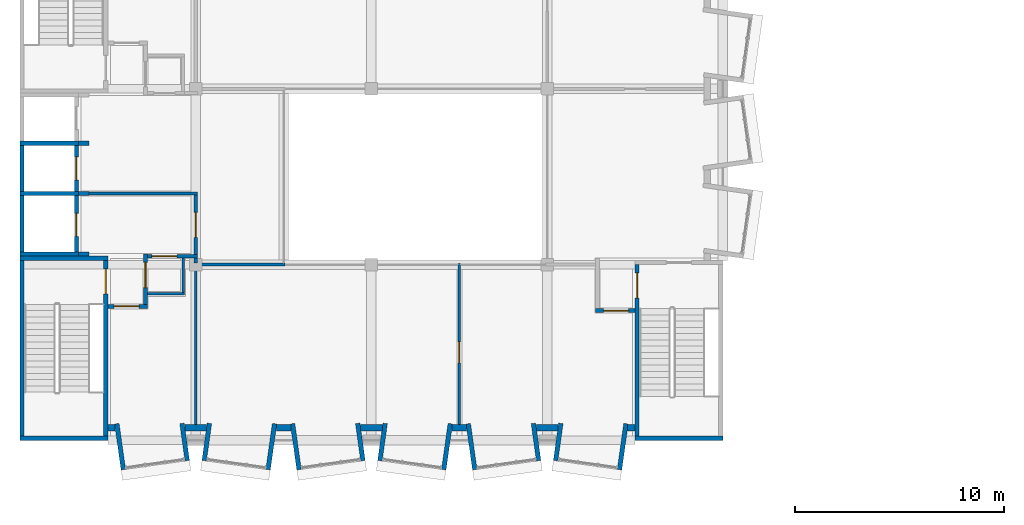
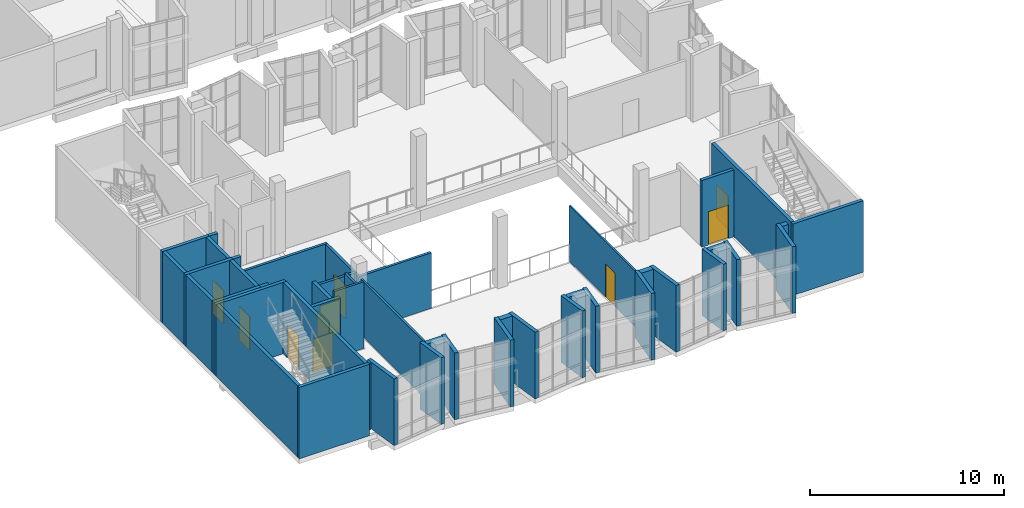
# One storey, part 80 of 95: 47 walls, 10 doors, 10 openings.
"""IFC4 building model written with IfcOpenShell, lengths in metres."""

from ifc_helpers import new_model, si_unit, direction, frame, frame_2d, origin, place, context, subcontext, project, spatial, rectangle, extrude, material, layer, layer_set, type_object, element, fill, save


model = new_model("IFC4")

# Units and contexts
model_context = context("Model", 3, precision=1e-05, world=origin(), true_north=direction((0.0, 1.0)))
body_context = subcontext(model_context, "Body", "Model", "MODEL_VIEW")
ifc_project = project(units=[si_unit("LENGTHUNIT", "METRE"), si_unit("AREAUNIT", "SQUARE_METRE"), si_unit("VOLUMEUNIT", "CUBIC_METRE"), si_unit("PLANEANGLEUNIT", "RADIAN"), si_unit("MASSUNIT", "GRAM", prefix="KILO")], contexts=[model_context])

# Site, building, storey
site_placement = place(None, origin())
site = spatial("IfcSite", under=ifc_project, at=site_placement, CompositionType="ELEMENT")
building_placement = place(site_placement, origin())
building = spatial("IfcBuilding", under=site, at=building_placement, Name="Kiln Court Media Centre", CompositionType="ELEMENT")
storey_placement = place(building_placement, frame((0.0, 0.0, 24.60009765625)))
storey = spatial("IfcBuildingStorey", under=building, at=storey_placement, Name="L05", CompositionType="ELEMENT", Elevation=24.60009765625)

# Wall, opening, door
ifc_material_1 = material(Name="Concrete block masonry M7.5", Category="masonry")
ifc_layer_1 = layer(ifc_material_1, 0.14990234375)
ifc_layer_set_1 = layer_set([ifc_layer_1], Name="Block lobby wall 150 EI 120")
wall_type_1 = type_object("IfcWallType", Name="Block lobby wall 150 EI 120", PredefinedType="SOLIDWALL", material=ifc_layer_set_1)
wall_1_placement = place(storey_placement, frame((6.10009765625, 8.800048828125, 0.0), z_axis=(0.0, 0.0, 1.0), x_axis=(1.0, 0.0, 0.0)))
wall_1 = element("IfcWall", 1, at=wall_1_placement, inside=storey, type_object=wall_type_1, Name="L05 block lobby wall", PredefinedType="SOLIDWALL", context=body_context, shape_type="SweptSolid", body=[
    extrude(rectangle(XDim=2.375, YDim=0.14990234375, at=frame_2d((1.1875, 0.0))), origin(), (0.0, 0.0, 1.0), 3.5),
])
opening_1_placement = place(wall_1_placement, frame((0.199951171875, 0.0, 0.0)))
opening_1 = element("IfcOpeningElement", 2, at=opening_1_placement, cuts=wall_1, Name="Opening D5019", PredefinedType="OPENING", context=body_context, shape_type="SweptSolid", body=[
    extrude(rectangle(XDim=1.199951171875, YDim=2.10009765625, at=frame_2d((0.60009765625, 1.050048828125))), frame((0.0, 0.0849609375, 0.0), z_axis=(0.0, -1.0, 0.0), x_axis=(1.0, 0.0, 0.0)), (0.0, 0.0, 1.0), 0.169921875),
])
ifc_material_2 = material(Name="Steel S275", Category="steel")
door_type_1 = type_object("IfcDoorType", Name="Steel lobby door 1200 x 2100 FD120", OperationType="SINGLE_SWING_LEFT", PredefinedType="DOOR", material=ifc_material_2)
door_1_placement = place(opening_1_placement, origin())
door_1 = element("IfcDoor", 3, at=door_1_placement, inside=storey, type_object=door_type_1, Name="Wheelchair Refuge / Fire-fighting Lift Lobby", OperationType="SINGLE_SWING_RIGHT", OverallHeight=2.10009765625, OverallWidth=1.199951171875, PredefinedType="DOOR", context=body_context, shape_type="SweptSolid", body=[
    extrude(rectangle(XDim=1.199951171875, YDim=2.10009765625, at=frame_2d((0.60009765625, 1.050048828125))), frame((0.0, 0.02490234375, 0.0), z_axis=(0.0, -1.0, 0.0), x_axis=(1.0, 0.0, 0.0)), (0.0, 0.0, 1.0), 0.050048828125),
])
fill(opening_1, door_1)

# Wall
wall_2_placement = place(storey_placement, frame((3.300048828125, 11.800048828125, 0.0), z_axis=(0.0, 0.0, 1.0), x_axis=(1.0, 0.0, 0.0)))
element("IfcWall", 4, at=wall_2_placement, inside=storey, type_object=wall_type_1, Name="L05 block lobby wall", PredefinedType="SOLIDWALL", context=body_context, shape_type="SweptSolid", body=[
    extrude(rectangle(XDim=5.175048828125, YDim=0.14990234375, at=frame_2d((2.58740234375, 0.0))), origin(), (0.0, 0.0, 1.0), 3.5),
])

# Wall, opening, door
wall_3_placement = place(storey_placement, frame((8.39990234375, 8.875, 0.0), z_axis=(0.0, 0.0, 1.0), x_axis=(0.0, 1.0, 0.0)))
wall_3 = element("IfcWall", 5, at=wall_3_placement, inside=storey, type_object=wall_type_1, Name="L05 block lobby wall", PredefinedType="SOLIDWALL", context=body_context, shape_type="SweptSolid", body=[
    extrude(rectangle(XDim=2.85009765625, YDim=0.14990234375, at=frame_2d((1.425048828125, 0.0))), origin(), (0.0, 0.0, 1.0), 3.5),
])
opening_2_placement = place(wall_3_placement, frame((0.824951171875, 0.0, 0.0)))
opening_2 = element("IfcOpeningElement", 6, at=opening_2_placement, cuts=wall_3, Name="Opening D5025", PredefinedType="OPENING", context=body_context, shape_type="SweptSolid", body=[
    extrude(rectangle(XDim=1.199951171875, YDim=2.10009765625, at=frame_2d((0.60009765625, 1.050048828125))), frame((0.0, 0.0849609375, 0.0), z_axis=(0.0, -1.0, 0.0), x_axis=(1.0, 0.0, 0.0)), (0.0, 0.0, 1.0), 0.169921875),
])
door_2_placement = place(opening_2_placement, origin())
door_2 = element("IfcDoor", 7, at=door_2_placement, inside=storey, type_object=door_type_1, Name="Gallery Landing / Fire-fighting Lift Lobby", OperationType="SINGLE_SWING_RIGHT", OverallHeight=2.10009765625, OverallWidth=1.199951171875, PredefinedType="DOOR", context=body_context, shape_type="SweptSolid", body=[
    extrude(rectangle(XDim=1.199951171875, YDim=2.10009765625, at=frame_2d((0.60009765625, 1.050048828125))), frame((0.0, 0.02490234375, 0.0), z_axis=(0.0, -1.0, 0.0), x_axis=(1.0, 0.0, 0.0)), (0.0, 0.0, 1.0), 0.050048828125),
])
fill(opening_2, door_2)

ifc_material_3 = material(Name="Concrete block masonry M10", Category="masonry")
ifc_layer_2 = layer(ifc_material_3, 0.199951171875)
ifc_layer_set_2 = layer_set([ifc_layer_2], Name="Block vestibule wall 200 EI 240")
wall_type_2 = type_object("IfcWallType", Name="Block vestibule wall 200 EI 240", PredefinedType="SOLIDWALL", material=ifc_layer_set_2)
wall_4_placement = place(storey_placement, frame((27.5, 6.199951171875, 0.0), z_axis=(0.0, 0.0, 1.0), x_axis=(1.0, 0.0, 0.0)))
wall_4 = element("IfcWall", 8, at=wall_4_placement, inside=storey, type_object=wall_type_2, Name="L05 block vestibule wall", PredefinedType="SOLIDWALL", context=body_context, shape_type="SweptSolid", body=[
    extrude(rectangle(XDim=1.89990234375, YDim=0.199951171875, at=frame_2d((0.949951171875, 0.0))), origin(), (0.0, 0.0, 1.0), 4.199951171875),
])
opening_3_placement = place(wall_4_placement, frame((0.39990234375, 0.0, 0.0)))
opening_3 = element("IfcOpeningElement", 9, at=opening_3_placement, cuts=wall_4, Name="Opening D5010", PredefinedType="OPENING", context=body_context, shape_type="SweptSolid", body=[
    extrude(rectangle(XDim=1.199951171875, YDim=2.10009765625, at=frame_2d((0.60009765625, 1.050048828125))), frame((0.0, 0.10986328125, 0.0), z_axis=(0.0, -1.0, 0.0), x_axis=(1.0, 0.0, 0.0)), (0.0, 0.0, 1.0), 0.219970703125),
])
ifc_material_4 = material(Name="Steel S275", Category="steel")
door_type_2 = type_object("IfcDoorType", Name="Steel vestibule door 1200 x 2100 FD180", OperationType="SINGLE_SWING_LEFT", PredefinedType="DOOR", material=ifc_material_4)
door_3_placement = place(opening_3_placement, origin())
door_3 = element("IfcDoor", 10, at=door_3_placement, inside=storey, type_object=door_type_2, Name="Sound Post Suites / Stair 3 Vestibule", OperationType="SINGLE_SWING_RIGHT", OverallHeight=2.10009765625, OverallWidth=1.199951171875, PredefinedType="DOOR", context=body_context, shape_type="SweptSolid", body=[
    extrude(rectangle(XDim=1.199951171875, YDim=2.10009765625, at=frame_2d((0.60009765625, 1.050048828125))), frame((0.0, 0.02490234375, 0.0), z_axis=(0.0, -1.0, 0.0), x_axis=(1.0, 0.0, 0.0)), (0.0, 0.0, 1.0), 0.050048828125),
])
fill(opening_3, door_3)

wall_5_placement = place(storey_placement, frame((4.2001953125, 6.39990234375, 0.0), z_axis=(0.0, 0.0, 1.0), x_axis=(1.0, 0.0, 0.0)))
wall_5 = element("IfcWall", 11, at=wall_5_placement, inside=storey, type_object=wall_type_2, Name="L05 block vestibule wall", PredefinedType="SOLIDWALL", context=body_context, shape_type="SweptSolid", body=[
    extrude(rectangle(XDim=1.89990234375, YDim=0.199951171875, at=frame_2d((0.949951171875, 0.0))), origin(), (0.0, 0.0, 1.0), 4.199951171875),
])
opening_4_placement = place(wall_5_placement, frame((0.2998046875, 0.0, 0.0)))
opening_4 = element("IfcOpeningElement", 12, at=opening_4_placement, cuts=wall_5, Name="Opening D5011", PredefinedType="OPENING", context=body_context, shape_type="SweptSolid", body=[
    extrude(rectangle(XDim=1.199951171875, YDim=2.10009765625, at=frame_2d((0.60009765625, 1.050048828125))), frame((0.0, 0.10986328125, 0.0), z_axis=(0.0, -1.0, 0.0), x_axis=(1.0, 0.0, 0.0)), (0.0, 0.0, 1.0), 0.219970703125),
])
door_4_placement = place(opening_4_placement, origin())
door_4 = element("IfcDoor", 13, at=door_4_placement, inside=storey, type_object=door_type_2, Name="Toilets and Accessible WC / Stair 1 Vestibule", OperationType="SINGLE_SWING_LEFT", OverallHeight=2.10009765625, OverallWidth=1.199951171875, PredefinedType="DOOR", context=body_context, shape_type="SweptSolid", body=[
    extrude(rectangle(XDim=1.199951171875, YDim=2.10009765625, at=frame_2d((0.60009765625, 1.050048828125))), frame((0.0, 0.02490234375, 0.0), z_axis=(0.0, -1.0, 0.0), x_axis=(1.0, 0.0, 0.0)), (0.0, 0.0, 1.0), 0.050048828125),
])
fill(opening_4, door_4)

wall_6_placement = place(storey_placement, frame((6.0, 6.5, 0.0), z_axis=(0.0, 0.0, 1.0), x_axis=(0.0, 1.0, 0.0)))
wall_6 = element("IfcWall", 14, at=wall_6_placement, inside=storey, type_object=wall_type_2, Name="L05 block vestibule wall", PredefinedType="SOLIDWALL", context=body_context, shape_type="SweptSolid", body=[
    extrude(rectangle(XDim=2.39990234375, YDim=0.199951171875, at=frame_2d((1.199951171875, 0.0))), origin(), (0.0, 0.0, 1.0), 3.699951171875),
])
opening_5_placement = place(wall_6_placement, frame((0.800048828125, 0.0, 0.0)))
opening_5 = element("IfcOpeningElement", 15, at=opening_5_placement, cuts=wall_6, Name="Opening D5012", PredefinedType="OPENING", context=body_context, shape_type="SweptSolid", body=[
    extrude(rectangle(XDim=1.199951171875, YDim=2.10009765625, at=frame_2d((0.60009765625, 1.050048828125))), frame((0.0, 0.10986328125, 0.0), z_axis=(0.0, -1.0, 0.0), x_axis=(1.0, 0.0, 0.0)), (0.0, 0.0, 1.0), 0.219970703125),
])
door_5_placement = place(opening_5_placement, origin())
door_5 = element("IfcDoor", 16, at=door_5_placement, inside=storey, type_object=door_type_2, Name="Stair 1 Vestibule / Wheelchair Refuge", OperationType="SINGLE_SWING_RIGHT", OverallHeight=2.10009765625, OverallWidth=1.199951171875, PredefinedType="DOOR", context=body_context, shape_type="SweptSolid", body=[
    extrude(rectangle(XDim=1.199951171875, YDim=2.10009765625, at=frame_2d((0.60009765625, 1.050048828125))), frame((0.0, 0.02490234375, 0.0), z_axis=(0.0, -1.0, 0.0), x_axis=(1.0, 0.0, 0.0)), (0.0, 0.0, 1.0), 0.050048828125),
])
fill(opening_5, door_5)

# Walls
ifc_material_5 = material(Name="Brick masonry facing leaf with RC backing", Category="masonry")
ifc_layer_3 = layer(ifc_material_5, 0.215087890625)
ifc_layer_set_3 = layer_set([ifc_layer_3], Name="Brick masonry bay cheek wall 215")
wall_type_3 = type_object("IfcWallType", Name="Brick masonry bay cheek wall 215", PredefinedType="SOLIDWALL", material=ifc_layer_set_3)
wall_7_placement = place(storey_placement, frame((4.630615234375, 0.794921875, 0.0), z_axis=(0.0, 0.0, 1.0), x_axis=(0.139141913905, -0.990272451295, 0.0)))
element("IfcWall", 17, at=wall_7_placement, inside=storey, type_object=wall_type_3, Name="BAY V6A-S-L05-32 cheek L", PredefinedType="SOLIDWALL", context=body_context, shape_type="SweptSolid", body=[
    extrude(rectangle(XDim=2.219482421875, YDim=0.215087890625, at=frame_2d((1.10986328125, 0.0))), origin(), (0.0, 0.0, 1.0), 4.199951171875),
])
for number, where, z_axis, x_axis, name in (
    (18, (7.743896484375, 0.808837890625, 0.0), (0.0, 0.0, 1.0), (0.139161311926, -0.990269725511, 0.0), "BAY V6A-S-L05-32 cheek R"),
    (19, (9.055908203125, 0.808837890625, 0.0), (0.0, 0.0, 1.0), (-0.139161311926, -0.990269725511, 0.0), "BAY V6A-S-L05-33 cheek L"),
):
    element("IfcWall", number, at=place(storey_placement, frame(where, z_axis=z_axis, x_axis=x_axis)), inside=storey, type_object=wall_type_3, Name=name, PredefinedType="SOLIDWALL", context=body_context, shape_type="SweptSolid", body=[
        extrude(rectangle(XDim=1.800048828125, YDim=0.215087890625, at=frame_2d((0.89990234375, 0.0))), origin(), (0.0, 0.0, 1.0), 4.199951171875),
    ])
wall_8_placement = place(storey_placement, frame((12.16943359375, 0.794921875, 0.0), z_axis=(0.0, 0.0, 1.0), x_axis=(-0.139141913905, -0.990272451295, 0.0)))
element("IfcWall", 20, at=wall_8_placement, inside=storey, type_object=wall_type_3, Name="BAY V6A-S-L05-33 cheek R", PredefinedType="SOLIDWALL", context=body_context, shape_type="SweptSolid", body=[
    extrude(rectangle(XDim=2.219482421875, YDim=0.215087890625, at=frame_2d((1.10986328125, 0.0))), origin(), (0.0, 0.0, 1.0), 4.199951171875),
])
wall_9_placement = place(storey_placement, frame((13.030517578125, 0.794921875, 0.0), z_axis=(0.0, 0.0, 1.0), x_axis=(0.139249775508, -0.99025728981, 0.0)))
element("IfcWall", 21, at=wall_9_placement, inside=storey, type_object=wall_type_3, Name="BAY V6A-S-L05-34 cheek L", PredefinedType="SOLIDWALL", context=body_context, shape_type="SweptSolid", body=[
    extrude(rectangle(XDim=2.2197265625, YDim=0.215087890625, at=frame_2d((1.10986328125, 0.0))), origin(), (0.0, 0.0, 1.0), 4.199951171875),
])
for number, where, z_axis, x_axis, name in (
    (22, (16.14404296875, 0.808837890625, 0.0), (0.0, 0.0, 1.0), (0.139161311926, -0.990269725511, 0.0), "BAY V6A-S-L05-34 cheek R"),
    (23, (17.4560546875, 0.808837890625, 0.0), (0.0, 0.0, 1.0), (-0.139161311926, -0.990269725511, 0.0), "BAY V6A-S-L05-35 cheek L"),
):
    element("IfcWall", number, at=place(storey_placement, frame(where, z_axis=z_axis, x_axis=x_axis)), inside=storey, type_object=wall_type_3, Name=name, PredefinedType="SOLIDWALL", context=body_context, shape_type="SweptSolid", body=[
        extrude(rectangle(XDim=1.800048828125, YDim=0.215087890625, at=frame_2d((0.89990234375, 0.0))), origin(), (0.0, 0.0, 1.0), 4.199951171875),
    ])
for number, where, z_axis, x_axis, name in (
    (24, (20.5693359375, 0.794921875, 0.0), (0.0, 0.0, 1.0), (-0.139141913905, -0.990272451295, 0.0), "BAY V6A-S-L05-35 cheek R"),
    (25, (21.4306640625, 0.794921875, 0.0), (0.0, 0.0, 1.0), (0.139141913905, -0.990272451295, 0.0), "BAY V6A-S-L05-36 cheek L"),
):
    element("IfcWall", number, at=place(storey_placement, frame(where, z_axis=z_axis, x_axis=x_axis)), inside=storey, type_object=wall_type_3, Name=name, PredefinedType="SOLIDWALL", context=body_context, shape_type="SweptSolid", body=[
        extrude(rectangle(XDim=2.219482421875, YDim=0.215087890625, at=frame_2d((1.10986328125, 0.0))), origin(), (0.0, 0.0, 1.0), 4.199951171875),
    ])
for number, where, z_axis, x_axis, name in (
    (26, (24.5439453125, 0.808837890625, 0.0), (0.0, 0.0, 1.0), (0.139161311926, -0.990269725511, 0.0), "BAY V6A-S-L05-36 cheek R"),
    (27, (25.85595703125, 0.808837890625, 0.0), (0.0, 0.0, 1.0), (-0.139161311926, -0.990269725511, 0.0), "BAY V6A-S-L05-37 cheek L"),
):
    element("IfcWall", number, at=place(storey_placement, frame(where, z_axis=z_axis, x_axis=x_axis)), inside=storey, type_object=wall_type_3, Name=name, PredefinedType="SOLIDWALL", context=body_context, shape_type="SweptSolid", body=[
        extrude(rectangle(XDim=1.800048828125, YDim=0.215087890625, at=frame_2d((0.89990234375, 0.0))), origin(), (0.0, 0.0, 1.0), 4.199951171875),
    ])
wall_10_placement = place(storey_placement, frame((28.969482421875, 0.794921875, 0.0), z_axis=(0.0, 0.0, 1.0), x_axis=(-0.139249775508, -0.99025728981, 0.0)))
element("IfcWall", 28, at=wall_10_placement, inside=storey, type_object=wall_type_3, Name="BAY V6A-S-L05-37 cheek R", PredefinedType="SOLIDWALL", context=body_context, shape_type="SweptSolid", body=[
    extrude(rectangle(XDim=2.2197265625, YDim=0.215087890625, at=frame_2d((1.10986328125, 0.0))), origin(), (0.0, 0.0, 1.0), 4.199951171875),
])
ifc_material_6 = material(Name="Brick masonry facing leaf with RC backing", Category="masonry")
ifc_layer_4 = layer(ifc_material_6, 0.300048828125)
ifc_layer_set_4 = layer_set([ifc_layer_4], Name="Brick masonry cavity wall 300")
wall_type_4 = type_object("IfcWallType", Name="Brick masonry cavity wall 300", PredefinedType="SOLIDWALL", material=ifc_layer_set_4)
wall_11_placement = place(storey_placement, frame((4.549560546875, 0.60009765625, 0.0), z_axis=(0.0, 0.0, 1.0), x_axis=(-1.0, 0.0, 0.0)))
element("IfcWall", 29, at=wall_11_placement, inside=storey, type_object=wall_type_4, Name="V6A-S facade L05 3052", PredefinedType="SOLIDWALL", context=body_context, shape_type="SweptSolid", body=[
    extrude(rectangle(XDim=0.349365234375, YDim=0.300048828125, at=frame_2d((0.1748046875, 0.0))), origin(), (0.0, 0.0, 1.0), 4.199951171875),
])
wall_12_placement = place(storey_placement, frame((8.918212890625, 0.60009765625, 0.0), z_axis=(0.0, 0.0, 1.0), x_axis=(-1.0, 0.0, 0.0)))
element("IfcWall", 30, at=wall_12_placement, inside=storey, type_object=wall_type_4, Name="V6A-S facade L05 3053", PredefinedType="SOLIDWALL", context=body_context, shape_type="SweptSolid", body=[
    extrude(rectangle(XDim=1.036376953125, YDim=0.300048828125, at=frame_2d((0.51806640625, 0.0))), origin(), (0.0, 0.0, 1.0), 4.199951171875),
])
wall_13_placement = place(storey_placement, frame((12.949462890625, 0.60009765625, 0.0), z_axis=(0.0, 0.0, 1.0), x_axis=(-1.0, 0.0, 0.0)))
element("IfcWall", 31, at=wall_13_placement, inside=storey, type_object=wall_type_4, Name="V6A-S facade L05 3054", PredefinedType="SOLIDWALL", context=body_context, shape_type="SweptSolid", body=[
    extrude(rectangle(XDim=0.698974609375, YDim=0.300048828125, at=frame_2d((0.349609375, 0.0))), origin(), (0.0, 0.0, 1.0), 4.199951171875),
])
wall_14_placement = place(storey_placement, frame((17.318115234375, 0.60009765625, 0.0), z_axis=(0.0, 0.0, 1.0), x_axis=(-1.0, 0.0, 0.0)))
element("IfcWall", 32, at=wall_14_placement, inside=storey, type_object=wall_type_4, Name="V6A-S facade L05 3055", PredefinedType="SOLIDWALL", context=body_context, shape_type="SweptSolid", body=[
    extrude(rectangle(XDim=1.0361328125, YDim=0.300048828125, at=frame_2d((0.51806640625, 0.0))), origin(), (0.0, 0.0, 1.0), 4.199951171875),
])
wall_15_placement = place(storey_placement, frame((21.349609375, 0.60009765625, 0.0), z_axis=(0.0, 0.0, 1.0), x_axis=(-1.0, 0.0, 0.0)))
element("IfcWall", 33, at=wall_15_placement, inside=storey, type_object=wall_type_4, Name="V6A-S facade L05 3056", PredefinedType="SOLIDWALL", context=body_context, shape_type="SweptSolid", body=[
    extrude(rectangle(XDim=0.69921875, YDim=0.300048828125, at=frame_2d((0.349609375, 0.0))), origin(), (0.0, 0.0, 1.0), 4.199951171875),
])
wall_16_placement = place(storey_placement, frame((25.718017578125, 0.60009765625, 0.0), z_axis=(0.0, 0.0, 1.0), x_axis=(-1.0, 0.0, 0.0)))
element("IfcWall", 34, at=wall_16_placement, inside=storey, type_object=wall_type_4, Name="V6A-S facade L05 3057", PredefinedType="SOLIDWALL", context=body_context, shape_type="SweptSolid", body=[
    extrude(rectangle(XDim=1.0361328125, YDim=0.300048828125, at=frame_2d((0.51806640625, 0.0))), origin(), (0.0, 0.0, 1.0), 4.199951171875),
])
wall_17_placement = place(storey_placement, frame((29.39990234375, 0.60009765625, 0.0), z_axis=(0.0, 0.0, 1.0), x_axis=(-1.0, 0.0, 0.0)))
element("IfcWall", 35, at=wall_17_placement, inside=storey, type_object=wall_type_4, Name="V6A-S facade L05 3058", PredefinedType="SOLIDWALL", context=body_context, shape_type="SweptSolid", body=[
    extrude(rectangle(XDim=0.349365234375, YDim=0.300048828125, at=frame_2d((0.1748046875, 0.0))), origin(), (0.0, 0.0, 1.0), 4.199951171875),
])
ifc_material_7 = material(Name="Concrete C40/50", Category="concrete")
ifc_layer_5 = layer(ifc_material_7, 0.199951171875)
ifc_layer_set_5 = layer_set([ifc_layer_5], Name="Concrete C40/50 shear wall 200")
wall_type_5 = type_object("IfcWallType", Name="Concrete C40/50 shear wall 200", PredefinedType="SHEAR", material=ifc_layer_set_5)
for number, where, z_axis, x_axis, name in (
    (36, (4.199951171875, 0.10009765625, 0.0), (0.0, 0.0, 1.0), (-1.0, 0.0, 0.0), "L05-W-1000"),
    (37, (0.00048828125, 8.699951171875, 0.0), (0.0, 0.0, 1.0), (1.0, 0.0, 0.0), "L05-W-1001"),
):
    element("IfcWall", number, at=place(storey_placement, frame(where, z_axis=z_axis, x_axis=x_axis)), inside=storey, type_object=wall_type_5, Name=name, PredefinedType="SHEAR", context=body_context, shape_type="SweptSolid", body=[
        extrude(rectangle(XDim=4.199462890625, YDim=0.199951171875, at=frame_2d((2.099609375, 0.0))), origin(), (0.0, 0.0, 1.0), 4.5),
    ])
wall_18_placement = place(storey_placement, frame((0.100341796875, 0.199951171875, 0.0), z_axis=(0.0, 0.0, 1.0), x_axis=(0.0, 1.0, 0.0)))
element("IfcWall", 38, at=wall_18_placement, inside=storey, type_object=wall_type_5, Name="L05-W-1002", PredefinedType="SHEAR", context=body_context, shape_type="SweptSolid", body=[
    extrude(rectangle(XDim=8.400146484375, YDim=0.199951171875, at=frame_2d((4.2001953125, 0.0))), origin(), (0.0, 0.0, 1.0), 4.5),
])

# Wall, opening, door
wall_19_placement = place(storey_placement, frame((4.10009765625, 8.60009765625, 0.0), z_axis=(0.0, 0.0, 1.0), x_axis=(0.0, -1.0, 0.0)))
wall_19 = element("IfcWall", 39, at=wall_19_placement, inside=storey, type_object=wall_type_5, Name="L05-W-1003", PredefinedType="SHEAR", context=body_context, shape_type="SweptSolid", body=[
    extrude(rectangle(XDim=8.400146484375, YDim=0.199951171875, at=frame_2d((4.2001953125, 0.0))), origin(), (0.0, 0.0, 1.0), 4.5),
])
opening_6_placement = place(wall_19_placement, frame((0.400146484375, 0.0, 0.0)))
opening_6 = element("IfcOpeningElement", 40, at=opening_6_placement, cuts=wall_19, Name="Opening D5003", PredefinedType="OPENING", context=body_context, shape_type="SweptSolid", body=[
    extrude(rectangle(XDim=1.199951171875, YDim=2.10009765625, at=frame_2d((0.60009765625, 1.050048828125))), frame((0.0, 0.10986328125, 0.0), z_axis=(0.0, -1.0, 0.0), x_axis=(1.0, 0.0, 0.0)), (0.0, 0.0, 1.0), 0.219970703125),
])
ifc_material_8 = material(Name="Steel S275", Category="steel")
door_type_3 = type_object("IfcDoorType", Name="Steel stair door 1200 x 2100 FD180", OperationType="SINGLE_SWING_LEFT", PredefinedType="DOOR", material=ifc_material_8)
door_6_placement = place(opening_6_placement, origin())
door_6 = element("IfcDoor", 41, at=door_6_placement, inside=storey, type_object=door_type_3, Name="Stair 1 / Stair 1 Vestibule", OperationType="SINGLE_SWING_RIGHT", OverallHeight=2.10009765625, OverallWidth=1.199951171875, PredefinedType="DOOR", context=body_context, shape_type="SweptSolid", body=[
    extrude(rectangle(XDim=1.199951171875, YDim=2.10009765625, at=frame_2d((0.60009765625, 1.050048828125))), frame((0.0, 0.02490234375, 0.0), z_axis=(0.0, -1.0, 0.0), x_axis=(1.0, 0.0, 0.0)), (0.0, 0.0, 1.0), 0.050048828125),
])
fill(opening_6, door_6)

# Wall
wall_20_placement = place(storey_placement, frame((33.60009765625, 0.10009765625, 0.0), z_axis=(0.0, 0.0, 1.0), x_axis=(-1.0, 0.0, 0.0)))
element("IfcWall", 42, at=wall_20_placement, inside=storey, type_object=wall_type_5, Name="L05-W-1008", PredefinedType="SHEAR", context=body_context, shape_type="SweptSolid", body=[
    extrude(rectangle(XDim=4.2001953125, YDim=0.199951171875, at=frame_2d((2.10009765625, 0.0))), origin(), (0.0, 0.0, 1.0), 4.5),
])

# Wall, opening, door
wall_21_placement = place(storey_placement, frame((29.5, 0.199951171875, 0.0), z_axis=(0.0, 0.0, 1.0), x_axis=(0.0, 1.0, 0.0)))
wall_21 = element("IfcWall", 43, at=wall_21_placement, inside=storey, type_object=wall_type_5, Name="L05-W-1010", PredefinedType="SHEAR", context=body_context, shape_type="SweptSolid", body=[
    extrude(rectangle(XDim=8.199951171875, YDim=0.199951171875, at=frame_2d((4.10009765625, 0.0))), origin(), (0.0, 0.0, 1.0), 4.5),
])
opening_7_placement = place(wall_21_placement, frame((6.60009765625, 0.0, 0.0)))
opening_7 = element("IfcOpeningElement", 44, at=opening_7_placement, cuts=wall_21, Name="Opening D5004", PredefinedType="OPENING", context=body_context, shape_type="SweptSolid", body=[
    extrude(rectangle(XDim=1.199951171875, YDim=2.10009765625, at=frame_2d((0.60009765625, 1.050048828125))), frame((0.0, 0.10986328125, 0.0), z_axis=(0.0, -1.0, 0.0), x_axis=(1.0, 0.0, 0.0)), (0.0, 0.0, 1.0), 0.219970703125),
])
door_7_placement = place(opening_7_placement, origin())
door_7 = element("IfcDoor", 45, at=door_7_placement, inside=storey, type_object=door_type_3, Name="Stair 3 / Stair 3 Vestibule", OperationType="SINGLE_SWING_RIGHT", OverallHeight=2.10009765625, OverallWidth=1.199951171875, PredefinedType="DOOR", context=body_context, shape_type="SweptSolid", body=[
    extrude(rectangle(XDim=1.199951171875, YDim=2.10009765625, at=frame_2d((0.60009765625, 1.050048828125))), frame((0.0, 0.02490234375, 0.0), z_axis=(0.0, -1.0, 0.0), x_axis=(1.0, 0.0, 0.0)), (0.0, 0.0, 1.0), 0.050048828125),
])
fill(opening_7, door_7)

# Walls
for number, where, z_axis, x_axis, name in (
    (46, (2.800048828125, 8.89990234375, 0.0), (0.0, 0.0, 1.0), (-1.0, 0.0, 0.0), "L05-W-1024"),
    (47, (0.00048828125, 11.800048828125, 0.0), (0.0, 0.0, 1.0), (1.0, 0.0, 0.0), "L05-W-1025"),
):
    element("IfcWall", number, at=place(storey_placement, frame(where, z_axis=z_axis, x_axis=x_axis)), inside=storey, type_object=wall_type_5, Name=name, PredefinedType="SHEAR", context=body_context, shape_type="SweptSolid", body=[
        extrude(rectangle(XDim=2.799560546875, YDim=0.199951171875, at=frame_2d((1.39990234375, 0.0))), origin(), (0.0, 0.0, 1.0), 4.5),
    ])
wall_22_placement = place(storey_placement, frame((0.100341796875, 9.0, 0.0), z_axis=(0.0, 0.0, 1.0), x_axis=(0.0, 1.0, 0.0)))
element("IfcWall", 48, at=wall_22_placement, inside=storey, type_object=wall_type_5, Name="L05-W-1026", PredefinedType="SHEAR", context=body_context, shape_type="SweptSolid", body=[
    extrude(rectangle(XDim=2.699951171875, YDim=0.199951171875, at=frame_2d((1.35009765625, 0.0))), origin(), (0.0, 0.0, 1.0), 4.5),
])

# Wall, opening, door
wall_23_placement = place(storey_placement, frame((2.699951171875, 11.699951171875, 0.0), z_axis=(0.0, 0.0, 1.0), x_axis=(0.0, -1.0, 0.0)))
wall_23 = element("IfcWall", 49, at=wall_23_placement, inside=storey, type_object=wall_type_5, Name="L05-W-1027", PredefinedType="SHEAR", context=body_context, shape_type="SweptSolid", body=[
    extrude(rectangle(XDim=2.699951171875, YDim=0.199951171875, at=frame_2d((1.35009765625, 0.0))), origin(), (0.0, 0.0, 1.0), 4.5),
])
opening_8_placement = place(wall_23_placement, frame((0.85009765625, 0.0, 0.0)))
opening_8 = element("IfcOpeningElement", 50, at=opening_8_placement, cuts=wall_23, Name="Opening LD501", PredefinedType="OPENING", context=body_context, shape_type="SweptSolid", body=[
    extrude(rectangle(XDim=1.10009765625, YDim=2.10009765625, at=frame_2d((0.550048828125, 1.050048828125))), frame((0.0, 0.10986328125, 0.0), z_axis=(0.0, -1.0, 0.0), x_axis=(1.0, 0.0, 0.0)), (0.0, 0.0, 1.0), 0.219970703125),
])
ifc_material_9 = material(Name="Stainless steel", Category="steel")
door_type_4 = type_object("IfcDoorType", Name="Firefighting lift landing door 1100 x 2100 FD120", OperationType="SLIDING_TO_LEFT", PredefinedType="DOOR", material=ifc_material_9)
door_8_placement = place(opening_8_placement, origin())
door_8 = element("IfcDoor", 51, at=door_8_placement, inside=storey, type_object=door_type_4, Name="LF-01 landing door L05", OperationType="SLIDING_TO_LEFT", OverallHeight=2.10009765625, OverallWidth=1.10009765625, PredefinedType="DOOR", context=body_context, shape_type="SweptSolid", body=[
    extrude(rectangle(XDim=1.10009765625, YDim=2.10009765625, at=frame_2d((0.550048828125, 1.050048828125))), frame((0.0, 0.02490234375, 0.0), z_axis=(0.0, -1.0, 0.0), x_axis=(1.0, 0.0, 0.0)), (0.0, 0.0, 1.0), 0.050048828125),
])
fill(opening_8, door_8)

# Walls
wall_24_placement = place(storey_placement, frame((0.00048828125, 14.199951171875, 0.0), z_axis=(0.0, 0.0, 1.0), x_axis=(1.0, 0.0, 0.0)))
element("IfcWall", 52, at=wall_24_placement, inside=storey, type_object=wall_type_5, Name="L05-W-1028", PredefinedType="SHEAR", context=body_context, shape_type="SweptSolid", body=[
    extrude(rectangle(XDim=2.799560546875, YDim=0.199951171875, at=frame_2d((1.39990234375, 0.0))), origin(), (0.0, 0.0, 1.0), 4.5),
])
wall_25_placement = place(storey_placement, frame((0.100341796875, 11.89990234375, 0.0), z_axis=(0.0, 0.0, 1.0), x_axis=(0.0, 1.0, 0.0)))
element("IfcWall", 53, at=wall_25_placement, inside=storey, type_object=wall_type_5, Name="L05-W-1029", PredefinedType="SHEAR", context=body_context, shape_type="SweptSolid", body=[
    extrude(rectangle(XDim=2.2001953125, YDim=0.199951171875, at=frame_2d((1.10009765625, 0.0))), origin(), (0.0, 0.0, 1.0), 4.5),
])

# Wall, opening, door
wall_26_placement = place(storey_placement, frame((2.699951171875, 14.10009765625, 0.0), z_axis=(0.0, 0.0, 1.0), x_axis=(0.0, -1.0, 0.0)))
wall_26 = element("IfcWall", 54, at=wall_26_placement, inside=storey, type_object=wall_type_5, Name="L05-W-1030", PredefinedType="SHEAR", context=body_context, shape_type="SweptSolid", body=[
    extrude(rectangle(XDim=2.2001953125, YDim=0.199951171875, at=frame_2d((1.10009765625, 0.0))), origin(), (0.0, 0.0, 1.0), 4.5),
])
opening_9_placement = place(wall_26_placement, frame((0.550048828125, 0.0, 0.0)))
opening_9 = element("IfcOpeningElement", 55, at=opening_9_placement, cuts=wall_26, Name="Opening LD502", PredefinedType="OPENING", context=body_context, shape_type="SweptSolid", body=[
    extrude(rectangle(XDim=1.10009765625, YDim=2.10009765625, at=frame_2d((0.550048828125, 1.050048828125))), frame((0.0, 0.10986328125, 0.0), z_axis=(0.0, -1.0, 0.0), x_axis=(1.0, 0.0, 0.0)), (0.0, 0.0, 1.0), 0.219970703125),
])
ifc_material_10 = material(Name="Stainless steel", Category="steel")
door_type_5 = type_object("IfcDoorType", Name="Lift landing door 1100 x 2100 FD120", OperationType="SLIDING_TO_LEFT", PredefinedType="DOOR", material=ifc_material_10)
door_9_placement = place(opening_9_placement, origin())
door_9 = element("IfcDoor", 56, at=door_9_placement, inside=storey, type_object=door_type_5, Name="LF-02 landing door L05", OperationType="SLIDING_TO_LEFT", OverallHeight=2.10009765625, OverallWidth=1.10009765625, PredefinedType="DOOR", context=body_context, shape_type="SweptSolid", body=[
    extrude(rectangle(XDim=1.10009765625, YDim=2.10009765625, at=frame_2d((0.550048828125, 1.050048828125))), frame((0.0, 0.02490234375, 0.0), z_axis=(0.0, -1.0, 0.0), x_axis=(1.0, 0.0, 0.0)), (0.0, 0.0, 1.0), 0.050048828125),
])
fill(opening_9, door_9)

# Walls
for number, where, z_axis, x_axis, name in (
    (57, (3.300048828125, 8.89990234375, 0.0), (0.0, 0.0, 1.0), (-1.0, 0.0, 0.0), "L05-W-1062"),
    (58, (2.800048828125, 11.800048828125, 0.0), (0.0, 0.0, 1.0), (1.0, 0.0, 0.0), "L05-W-1063"),
    (59, (2.800048828125, 14.199951171875, 0.0), (0.0, 0.0, 1.0), (1.0, 0.0, 0.0), "L05-W-1064"),
):
    element("IfcWall", number, at=place(storey_placement, frame(where, z_axis=z_axis, x_axis=x_axis)), inside=storey, type_object=wall_type_5, Name=name, PredefinedType="SHEAR", context=body_context, shape_type="SweptSolid", body=[
        extrude(rectangle(XDim=0.5, YDim=0.199951171875, at=frame_2d((0.25, 0.0))), origin(), (0.0, 0.0, 1.0), 4.5),
    ])
ifc_material_11 = material(Name="Gypsum plasterboard", Category="gypsum")
ifc_layer_6 = layer(ifc_material_11, 0.14990234375)
ifc_layer_set_6 = layer_set([ifc_layer_6], Name="Gypsum corridor partition 150 EI 60")
wall_type_6 = type_object("IfcWallType", Name="Gypsum corridor partition 150 EI 60", PredefinedType="PARTITIONING", material=ifc_layer_set_6)
wall_27_placement = place(storey_placement, frame((8.324951171875, 8.39990234375, 0.0), z_axis=(0.0, 0.0, 1.0), x_axis=(1.0, 0.0, 0.0)))
element("IfcWall", 60, at=wall_27_placement, inside=storey, type_object=wall_type_6, Name="L05 gypsum corridor partition", PredefinedType="PARTITIONING", context=body_context, shape_type="SweptSolid", body=[
    extrude(rectangle(XDim=4.35009765625, YDim=0.14990234375, at=frame_2d((2.175048828125, 0.0))), origin(), (0.0, 0.0, 1.0), 3.5),
])
wall_28_placement = place(storey_placement, frame((8.39990234375, 8.47509765625, 0.0), z_axis=(0.0, 0.0, 1.0), x_axis=(0.0, 1.0, 0.0)))
element("IfcWall", 61, at=wall_28_placement, inside=storey, type_object=wall_type_6, Name="L05 gypsum corridor partition", PredefinedType="PARTITIONING", context=body_context, shape_type="SweptSolid", body=[
    extrude(rectangle(XDim=0.25, YDim=0.14990234375, at=frame_2d((0.125, 0.0))), origin(), (0.0, 0.0, 1.0), 3.5),
])

# Wall, opening, door
ifc_material_12 = material(Name="Gypsum plasterboard", Category="gypsum")
ifc_layer_7 = layer(ifc_material_12, 0.10009765625)
ifc_layer_set_7 = layer_set([ifc_layer_7], Name="Gypsum stud partition 100")
wall_type_7 = type_object("IfcWallType", Name="Gypsum stud partition 100", PredefinedType="PARTITIONING", material=ifc_layer_set_7)
wall_29_placement = place(storey_placement, frame((21.0, 0.75, 0.0), z_axis=(0.0, 0.0, 1.0), x_axis=(0.0, 1.0, 0.0)))
wall_29 = element("IfcWall", 62, at=wall_29_placement, inside=storey, type_object=wall_type_7, Name="L05 gypsum stud partition", PredefinedType="PARTITIONING", context=body_context, shape_type="SweptSolid", body=[
    extrude(rectangle(XDim=7.699951171875, YDim=0.10009765625, at=frame_2d((3.85009765625, 0.0))), origin(), (0.0, 0.0, 1.0), 3.5),
])
opening_10_placement = place(wall_29_placement, frame((2.949951171875, 0.0, 0.0)))
opening_10 = element("IfcOpeningElement", 63, at=opening_10_placement, cuts=wall_29, Name="Opening D5018", PredefinedType="OPENING", context=body_context, shape_type="SweptSolid", body=[
    extrude(rectangle(XDim=1.0, YDim=2.10009765625, at=frame_2d((0.5, 1.050048828125))), frame((0.0, 0.06005859375, 0.0), z_axis=(0.0, -1.0, 0.0), x_axis=(1.0, 0.0, 0.0)), (0.0, 0.0, 1.0), 0.1201171875),
])
ifc_material_13 = material(Name="Timber", Category="wood")
door_type_6 = type_object("IfcDoorType", Name="Timber door 1000 x 2100", OperationType="SINGLE_SWING_LEFT", PredefinedType="DOOR", material=ifc_material_13)
door_10_placement = place(opening_10_placement, origin())
door_10 = element("IfcDoor", 64, at=door_10_placement, inside=storey, type_object=door_type_6, Name="Digital Archive and Viewing Rooms / Sound Post Suites", OperationType="SINGLE_SWING_RIGHT", OverallHeight=2.10009765625, OverallWidth=1.0, PredefinedType="DOOR", context=body_context, shape_type="SweptSolid", body=[
    extrude(rectangle(XDim=1.0, YDim=2.10009765625, at=frame_2d((0.5, 1.050048828125))), frame((0.0, 0.02490234375, 0.0), z_axis=(0.0, -1.0, 0.0), x_axis=(1.0, 0.0, 0.0)), (0.0, 0.0, 1.0), 0.050048828125),
])
fill(opening_10, door_10)

# Walls
ifc_material_14 = material(Name="Gypsum plasterboard", Category="gypsum")
ifc_layer_8 = layer(ifc_material_14, 0.125)
ifc_layer_set_8 = layer_set([ifc_layer_8], Name="Gypsum wet-area partition 125")
wall_type_8 = type_object("IfcWallType", Name="Gypsum wet-area partition 125", PredefinedType="PARTITIONING", material=ifc_layer_set_8)
wall_30_placement = place(storey_placement, frame((6.10009765625, 7.0, 0.0), z_axis=(0.0, 0.0, 1.0), x_axis=(1.0, 0.0, 0.0)))
element("IfcWall", 65, at=wall_30_placement, inside=storey, type_object=wall_type_8, Name="L05 gypsum wet-area partition", PredefinedType="PARTITIONING", context=body_context, shape_type="SweptSolid", body=[
    extrude(rectangle(XDim=1.762451171875, YDim=0.125, at=frame_2d((0.88134765625, 0.0))), origin(), (0.0, 0.0, 1.0), 4.199951171875),
])
wall_31_placement = place(storey_placement, frame((7.800048828125, 7.0625, 0.0), z_axis=(0.0, 0.0, 1.0), x_axis=(0.0, 1.0, 0.0)))
element("IfcWall", 66, at=wall_31_placement, inside=storey, type_object=wall_type_8, Name="L05 gypsum wet-area partition", PredefinedType="PARTITIONING", context=body_context, shape_type="SweptSolid", body=[
    extrude(rectangle(XDim=1.66259765625, YDim=0.125, at=frame_2d((0.831298828125, 0.0))), origin(), (0.0, 0.0, 1.0), 3.699951171875),
])
wall_32_placement = place(storey_placement, frame((8.39990234375, 0.75, 0.0), z_axis=(0.0, 0.0, 1.0), x_axis=(0.0, 1.0, 0.0)))
element("IfcWall", 67, at=wall_32_placement, inside=storey, type_object=wall_type_8, Name="L05 gypsum wet-area partition", PredefinedType="PARTITIONING", context=body_context, shape_type="SweptSolid", body=[
    extrude(rectangle(XDim=7.574951171875, YDim=0.125, at=frame_2d((3.78759765625, 0.0))), origin(), (0.0, 0.0, 1.0), 3.5),
])

save(model, "model.ifc")
